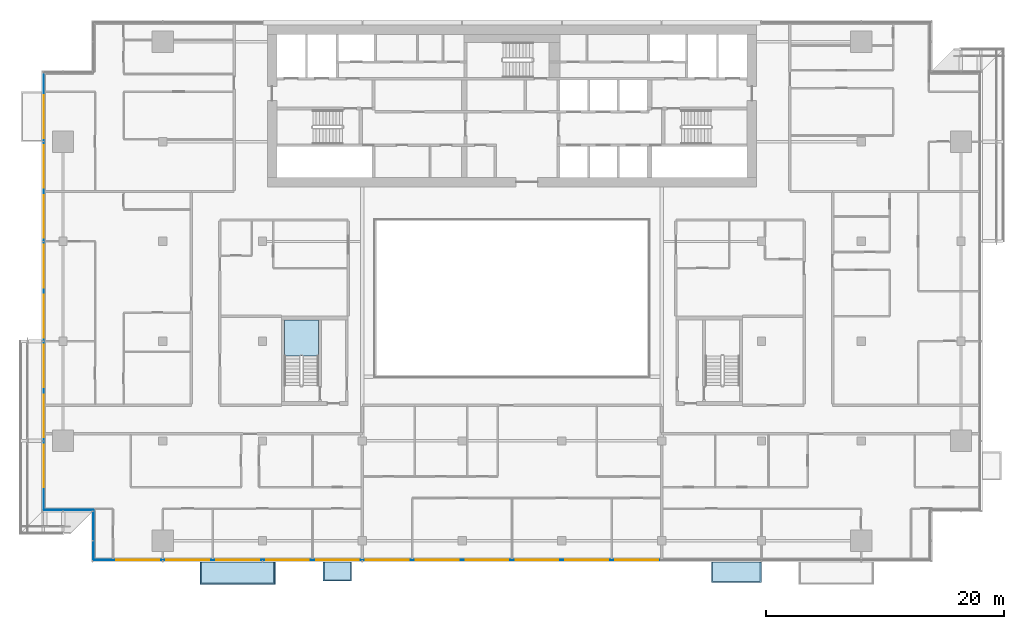
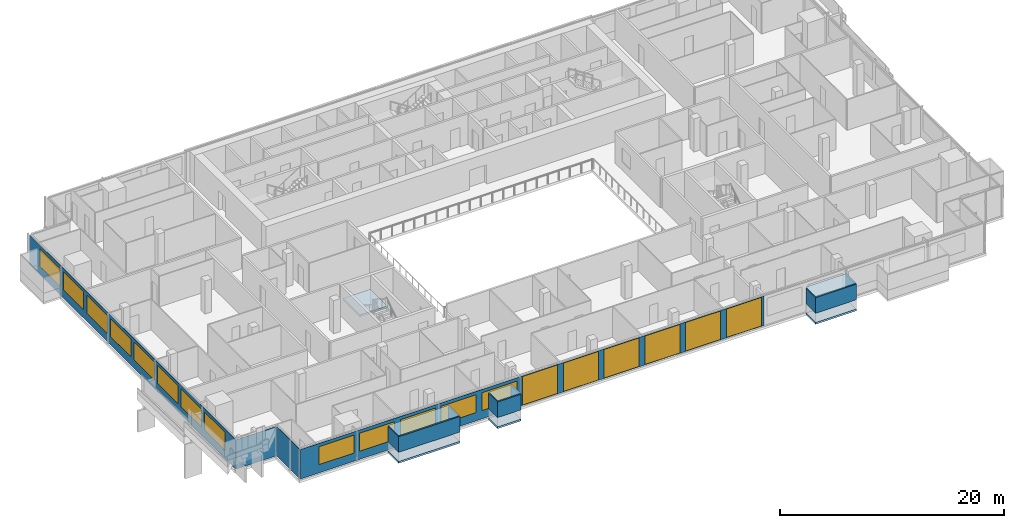
# One storey, part 15 of 30: 19 windows, 11 plates, 4 slabs, 19 openings, 5 elements without a shape of their own.
"""IFC4 building model written with IfcOpenShell, lengths in metres."""

from ifc_helpers import new_model, si_unit, direction, frame, frame_2d, origin, place, context, subcontext, project, spatial, polyline, rectangle, outline, extrude, material, layer, layer_set, type_object, element, fill, aggregate, save


model = new_model("IFC4")

# Units and contexts
model_context = context("Model", 3, precision=1e-05, world=origin(), true_north=direction((0.0, 1.0)))
body_context = subcontext(model_context, "Body", "Model", "MODEL_VIEW")
ifc_project = project(units=[si_unit("LENGTHUNIT", "METRE"), si_unit("AREAUNIT", "SQUARE_METRE"), si_unit("VOLUMEUNIT", "CUBIC_METRE"), si_unit("PLANEANGLEUNIT", "RADIAN"), si_unit("MASSUNIT", "GRAM", prefix="KILO")], contexts=[model_context])

# Site, building, storey
site_placement = place(None, origin())
site = spatial("IfcSite", under=ifc_project, at=site_placement, CompositionType="ELEMENT")
building_placement = place(site_placement, origin())
building = spatial("IfcBuilding", under=site, at=building_placement, Name="Saffron Gate Tower", CompositionType="ELEMENT")
storey_placement = place(building_placement, frame((0.0, 0.0, 165.449951171875)))
storey = spatial("IfcBuildingStorey", under=building, at=storey_placement, Name="L40", CompositionType="ELEMENT", Elevation=165.449951171875)

# Curtain wall, plates, openings, windows
ifc_material_1 = material(Name="Aluminium, bronze anodised", Category="aluminium")
curtain_wall_type_1 = type_object("IfcCurtainWallType", Name="CWS1 curtain wall front facade", PredefinedType="NOTDEFINED", material=ifc_material_1)
curtain_wall_1_placement = place(storey_placement, origin())
curtain_wall_1 = element("IfcCurtainWall", 1, at=curtain_wall_1_placement, inside=storey, type_object=curtain_wall_type_1, Name="CWS1 run 1", PredefinedType="NOTDEFINED")
ifc_material_2 = material(Name="Clear low-iron laminated glass", Category="glass")
ifc_layer_1 = layer(ifc_material_2, 0.028076171875)
ifc_layer_set_1 = layer_set([ifc_layer_1], Name="CWS1 clear glass")
plate_type_1 = type_object("IfcPlateType", Name="CWS1 clear glass", PredefinedType="CURTAIN_PANEL", material=ifc_layer_set_1)
plate_1_placement = place(storey_placement, frame((75.030029296875, 30.174072265625, 0.0), z_axis=(0.0, 0.0, 1.0), x_axis=(1.0, 0.0, 0.0)))
plate_1 = element("IfcPlate", 2, at=plate_1_placement, type_object=plate_type_1, Name="CWS1 clear glass panel", PredefinedType="CURTAIN_PANEL", context=body_context, shape_type="SweptSolid", body=[
    extrude(rectangle(XDim=25.139892578125, YDim=0.028076171875, at=frame_2d((12.56982421875, 0.0))), origin(), (0.0, 0.0, 1.0), 3.199951171875),
])
opening_1_placement = place(plate_1_placement, frame((0.27001953125, 0.0, 0.050048828125)))
opening_1 = element("IfcOpeningElement", 3, at=opening_1_placement, cuts=plate_1, Name="Opening WA", PredefinedType="OPENING", context=body_context, shape_type="SweptSolid", body=[
    extrude(rectangle(XDim=3.60009765625, YDim=3.10009765625, at=frame_2d((1.800048828125, 1.550048828125))), frame((0.0, 0.02392578125, 0.0), z_axis=(0.0, -1.0, 0.0), x_axis=(1.0, 0.0, 0.0)), (0.0, 0.0, 1.0), 0.048095703125),
])
opening_2_placement = place(plate_1_placement, frame((4.469970703125, 0.0, 0.050048828125)))
opening_2 = element("IfcOpeningElement", 4, at=opening_2_placement, cuts=plate_1, Name="Opening WA", PredefinedType="OPENING", context=body_context, shape_type="SweptSolid", body=[
    extrude(rectangle(XDim=3.60009765625, YDim=3.10009765625, at=frame_2d((1.800048828125, 1.550048828125))), frame((0.0, 0.02392578125, 0.0), z_axis=(0.0, -1.0, 0.0), x_axis=(1.0, 0.0, 0.0)), (0.0, 0.0, 1.0), 0.048095703125),
])
opening_3_placement = place(plate_1_placement, frame((8.669921875, 0.0, 0.050048828125)))
opening_3 = element("IfcOpeningElement", 5, at=opening_3_placement, cuts=plate_1, Name="Opening WA", PredefinedType="OPENING", context=body_context, shape_type="SweptSolid", body=[
    extrude(rectangle(XDim=3.60009765625, YDim=3.10009765625, at=frame_2d((1.800048828125, 1.550048828125))), frame((0.0, 0.02392578125, 0.0), z_axis=(0.0, -1.0, 0.0), x_axis=(1.0, 0.0, 0.0)), (0.0, 0.0, 1.0), 0.048095703125),
])
opening_4_placement = place(plate_1_placement, frame((12.8701171875, 0.0, 0.050048828125)))
opening_4 = element("IfcOpeningElement", 6, at=opening_4_placement, cuts=plate_1, Name="Opening WA", PredefinedType="OPENING", context=body_context, shape_type="SweptSolid", body=[
    extrude(rectangle(XDim=3.60009765625, YDim=3.10009765625, at=frame_2d((1.800048828125, 1.550048828125))), frame((0.0, 0.02392578125, 0.0), z_axis=(0.0, -1.0, 0.0), x_axis=(1.0, 0.0, 0.0)), (0.0, 0.0, 1.0), 0.048095703125),
])
opening_5_placement = place(plate_1_placement, frame((17.070068359375, 0.0, 0.050048828125)))
opening_5 = element("IfcOpeningElement", 7, at=opening_5_placement, cuts=plate_1, Name="Opening WA", PredefinedType="OPENING", context=body_context, shape_type="SweptSolid", body=[
    extrude(rectangle(XDim=3.60009765625, YDim=3.10009765625, at=frame_2d((1.800048828125, 1.550048828125))), frame((0.0, 0.02392578125, 0.0), z_axis=(0.0, -1.0, 0.0), x_axis=(1.0, 0.0, 0.0)), (0.0, 0.0, 1.0), 0.048095703125),
])
opening_6_placement = place(plate_1_placement, frame((21.27001953125, 0.0, 0.050048828125)))
opening_6 = element("IfcOpeningElement", 8, at=opening_6_placement, cuts=plate_1, Name="Opening WA", PredefinedType="OPENING", context=body_context, shape_type="SweptSolid", body=[
    extrude(rectangle(XDim=3.60009765625, YDim=3.10009765625, at=frame_2d((1.800048828125, 1.550048828125))), frame((0.0, 0.02392578125, 0.0), z_axis=(0.0, -1.0, 0.0), x_axis=(1.0, 0.0, 0.0)), (0.0, 0.0, 1.0), 0.048095703125),
])
ifc_material_3 = material(Name="Clear low-iron laminated glass in bronze frame", Category="glass")
ifc_layer_2 = layer(ifc_material_3, 0.06005859375)
ifc_layer_set_2 = layer_set([ifc_layer_2], Name="WA operable atrium unit 3600x3100")
window_type_1 = type_object("IfcWindowType", Name="WA operable atrium unit 3600x3100", PartitioningType="DOUBLE_PANEL_HORIZONTAL", PredefinedType="WINDOW", material=ifc_layer_set_2)
window_1_placement = place(opening_1_placement, origin())
window_1 = element("IfcWindow", 9, at=window_1_placement, type_object=window_type_1, Name="WA operable atrium unit", OverallHeight=3.10009765625, OverallWidth=3.60009765625, PartitioningType="SINGLE_PANEL", PredefinedType="WINDOW", context=body_context, shape_type="SweptSolid", body=[
    extrude(rectangle(XDim=3.60009765625, YDim=3.10009765625, at=frame_2d((1.800048828125, 1.550048828125))), frame((0.0, 0.013671875, 0.0), z_axis=(0.0, -1.0, 0.0), x_axis=(1.0, 0.0, 0.0)), (0.0, 0.0, 1.0), 0.027587890625),
])
fill(opening_1, window_1)
window_2_placement = place(opening_2_placement, origin())
window_2 = element("IfcWindow", 10, at=window_2_placement, type_object=window_type_1, Name="WA operable atrium unit", OverallHeight=3.10009765625, OverallWidth=3.60009765625, PartitioningType="SINGLE_PANEL", PredefinedType="WINDOW", context=body_context, shape_type="SweptSolid", body=[
    extrude(rectangle(XDim=3.60009765625, YDim=3.10009765625, at=frame_2d((1.800048828125, 1.550048828125))), frame((0.0, 0.013671875, 0.0), z_axis=(0.0, -1.0, 0.0), x_axis=(1.0, 0.0, 0.0)), (0.0, 0.0, 1.0), 0.027587890625),
])
fill(opening_2, window_2)
window_3_placement = place(opening_3_placement, origin())
window_3 = element("IfcWindow", 11, at=window_3_placement, type_object=window_type_1, Name="WA operable atrium unit", OverallHeight=3.10009765625, OverallWidth=3.60009765625, PartitioningType="SINGLE_PANEL", PredefinedType="WINDOW", context=body_context, shape_type="SweptSolid", body=[
    extrude(rectangle(XDim=3.60009765625, YDim=3.10009765625, at=frame_2d((1.800048828125, 1.550048828125))), frame((0.0, 0.013671875, 0.0), z_axis=(0.0, -1.0, 0.0), x_axis=(1.0, 0.0, 0.0)), (0.0, 0.0, 1.0), 0.027587890625),
])
fill(opening_3, window_3)
window_4_placement = place(opening_4_placement, origin())
window_4 = element("IfcWindow", 12, at=window_4_placement, type_object=window_type_1, Name="WA operable atrium unit", OverallHeight=3.10009765625, OverallWidth=3.60009765625, PartitioningType="SINGLE_PANEL", PredefinedType="WINDOW", context=body_context, shape_type="SweptSolid", body=[
    extrude(rectangle(XDim=3.60009765625, YDim=3.10009765625, at=frame_2d((1.800048828125, 1.550048828125))), frame((0.0, 0.013671875, 0.0), z_axis=(0.0, -1.0, 0.0), x_axis=(1.0, 0.0, 0.0)), (0.0, 0.0, 1.0), 0.027587890625),
])
fill(opening_4, window_4)
window_5_placement = place(opening_5_placement, origin())
window_5 = element("IfcWindow", 13, at=window_5_placement, type_object=window_type_1, Name="WA operable atrium unit", OverallHeight=3.10009765625, OverallWidth=3.60009765625, PartitioningType="SINGLE_PANEL", PredefinedType="WINDOW", context=body_context, shape_type="SweptSolid", body=[
    extrude(rectangle(XDim=3.60009765625, YDim=3.10009765625, at=frame_2d((1.800048828125, 1.550048828125))), frame((0.0, 0.013671875, 0.0), z_axis=(0.0, -1.0, 0.0), x_axis=(1.0, 0.0, 0.0)), (0.0, 0.0, 1.0), 0.027587890625),
])
fill(opening_5, window_5)
window_6_placement = place(opening_6_placement, origin())
window_6 = element("IfcWindow", 14, at=window_6_placement, type_object=window_type_1, Name="WA operable atrium unit", OverallHeight=3.10009765625, OverallWidth=3.60009765625, PartitioningType="SINGLE_PANEL", PredefinedType="WINDOW", context=body_context, shape_type="SweptSolid", body=[
    extrude(rectangle(XDim=3.60009765625, YDim=3.10009765625, at=frame_2d((1.800048828125, 1.550048828125))), frame((0.0, 0.013671875, 0.0), z_axis=(0.0, -1.0, 0.0), x_axis=(1.0, 0.0, 0.0)), (0.0, 0.0, 1.0), 0.027587890625),
])
fill(opening_6, window_6)
ifc_material_4 = material(Name="Fritted bronze-tinted laminated glass", Category="glass")
ifc_layer_3 = layer(ifc_material_4, 0.028076171875)
ifc_layer_set_3 = layer_set([ifc_layer_3], Name="CWS1 fixed glass")
plate_type_2 = type_object("IfcPlateType", Name="CWS1 fixed glass", PredefinedType="CURTAIN_PANEL", material=ifc_layer_set_3)
plate_2_placement = place(storey_placement, frame((52.387939453125, 30.174072265625, 0.0), z_axis=(0.0, 0.0, 1.0), x_axis=(1.0, 0.0, 0.0)))
plate_2 = element("IfcPlate", 15, at=plate_2_placement, type_object=plate_type_2, Name="CWS1 glass panel", PredefinedType="CURTAIN_PANEL", context=body_context, shape_type="SweptSolid", body=[
    extrude(rectangle(XDim=22.64208984375, YDim=0.028076171875, at=frame_2d((11.321044921875, 0.0))), origin(), (0.0, 0.0, 1.0), 3.199951171875),
])
opening_7_placement = place(plate_2_placement, frame((1.912109375, 0.0, 0.89990234375)))
opening_7 = element("IfcOpeningElement", 16, at=opening_7_placement, cuts=plate_2, Name="Opening W1", PredefinedType="OPENING", context=body_context, shape_type="SweptSolid", body=[
    extrude(rectangle(XDim=3.60009765625, YDim=1.949951171875, at=frame_2d((1.800048828125, 0.97509765625))), frame((0.0, 0.02392578125, 0.0), z_axis=(0.0, -1.0, 0.0), x_axis=(1.0, 0.0, 0.0)), (0.0, 0.0, 1.0), 0.048095703125),
])
opening_8_placement = place(plate_2_placement, frame((6.112060546875, 0.0, 0.89990234375)))
opening_8 = element("IfcOpeningElement", 17, at=opening_8_placement, cuts=plate_2, Name="Opening W1", PredefinedType="OPENING", context=body_context, shape_type="SweptSolid", body=[
    extrude(rectangle(XDim=3.60009765625, YDim=1.949951171875, at=frame_2d((1.800048828125, 0.97509765625))), frame((0.0, 0.02392578125, 0.0), z_axis=(0.0, -1.0, 0.0), x_axis=(1.0, 0.0, 0.0)), (0.0, 0.0, 1.0), 0.048095703125),
])
opening_9_placement = place(plate_2_placement, frame((10.31201171875, 0.0, 0.89990234375)))
opening_9 = element("IfcOpeningElement", 18, at=opening_9_placement, cuts=plate_2, Name="Opening W1", PredefinedType="OPENING", context=body_context, shape_type="SweptSolid", body=[
    extrude(rectangle(XDim=3.60009765625, YDim=1.949951171875, at=frame_2d((1.800048828125, 0.97509765625))), frame((0.0, 0.02392578125, 0.0), z_axis=(0.0, -1.0, 0.0), x_axis=(1.0, 0.0, 0.0)), (0.0, 0.0, 1.0), 0.048095703125),
])
opening_10_placement = place(plate_2_placement, frame((14.511962890625, 0.0, 0.89990234375)))
opening_10 = element("IfcOpeningElement", 19, at=opening_10_placement, cuts=plate_2, Name="Opening W1", PredefinedType="OPENING", context=body_context, shape_type="SweptSolid", body=[
    extrude(rectangle(XDim=3.60009765625, YDim=1.949951171875, at=frame_2d((1.800048828125, 0.97509765625))), frame((0.0, 0.02392578125, 0.0), z_axis=(0.0, -1.0, 0.0), x_axis=(1.0, 0.0, 0.0)), (0.0, 0.0, 1.0), 0.048095703125),
])
opening_11_placement = place(plate_2_placement, frame((18.7119140625, 0.0, 0.89990234375)))
opening_11 = element("IfcOpeningElement", 20, at=opening_11_placement, cuts=plate_2, Name="Opening W1", PredefinedType="OPENING", context=body_context, shape_type="SweptSolid", body=[
    extrude(rectangle(XDim=3.60009765625, YDim=1.949951171875, at=frame_2d((1.800048828125, 0.97509765625))), frame((0.0, 0.02392578125, 0.0), z_axis=(0.0, -1.0, 0.0), x_axis=(1.0, 0.0, 0.0)), (0.0, 0.0, 1.0), 0.048095703125),
])
ifc_material_5 = material(Name="Fritted bronze-tinted laminated glass in bronze frame", Category="glass")
ifc_layer_4 = layer(ifc_material_5, 0.06005859375)
ifc_layer_set_4 = layer_set([ifc_layer_4], Name="W1 operable panel 3600x1950")
window_type_2 = type_object("IfcWindowType", Name="W1 operable panel 3600x1950", PartitioningType="DOUBLE_PANEL_HORIZONTAL", PredefinedType="WINDOW", material=ifc_layer_set_4)
window_7_placement = place(opening_7_placement, origin())
window_7 = element("IfcWindow", 21, at=window_7_placement, type_object=window_type_2, Name="W1 operable panel", OverallHeight=1.949951171875, OverallWidth=3.60009765625, PartitioningType="SINGLE_PANEL", PredefinedType="WINDOW", context=body_context, shape_type="SweptSolid", body=[
    extrude(rectangle(XDim=3.60009765625, YDim=1.949951171875, at=frame_2d((1.800048828125, 0.97509765625))), frame((0.0, 0.013671875, 0.0), z_axis=(0.0, -1.0, 0.0), x_axis=(1.0, 0.0, 0.0)), (0.0, 0.0, 1.0), 0.027587890625),
])
fill(opening_7, window_7)
window_8_placement = place(opening_8_placement, origin())
window_8 = element("IfcWindow", 22, at=window_8_placement, type_object=window_type_2, Name="W1 operable panel", OverallHeight=1.949951171875, OverallWidth=3.60009765625, PartitioningType="SINGLE_PANEL", PredefinedType="WINDOW", context=body_context, shape_type="SweptSolid", body=[
    extrude(rectangle(XDim=3.60009765625, YDim=1.949951171875, at=frame_2d((1.800048828125, 0.97509765625))), frame((0.0, 0.013671875, 0.0), z_axis=(0.0, -1.0, 0.0), x_axis=(1.0, 0.0, 0.0)), (0.0, 0.0, 1.0), 0.027587890625),
])
fill(opening_8, window_8)
window_9_placement = place(opening_9_placement, origin())
window_9 = element("IfcWindow", 23, at=window_9_placement, type_object=window_type_2, Name="W1 operable panel", OverallHeight=1.949951171875, OverallWidth=3.60009765625, PartitioningType="SINGLE_PANEL", PredefinedType="WINDOW", context=body_context, shape_type="SweptSolid", body=[
    extrude(rectangle(XDim=3.60009765625, YDim=1.949951171875, at=frame_2d((1.800048828125, 0.97509765625))), frame((0.0, 0.013671875, 0.0), z_axis=(0.0, -1.0, 0.0), x_axis=(1.0, 0.0, 0.0)), (0.0, 0.0, 1.0), 0.027587890625),
])
fill(opening_9, window_9)
window_10_placement = place(opening_10_placement, origin())
window_10 = element("IfcWindow", 24, at=window_10_placement, type_object=window_type_2, Name="W1 operable panel", OverallHeight=1.949951171875, OverallWidth=3.60009765625, PartitioningType="SINGLE_PANEL", PredefinedType="WINDOW", context=body_context, shape_type="SweptSolid", body=[
    extrude(rectangle(XDim=3.60009765625, YDim=1.949951171875, at=frame_2d((1.800048828125, 0.97509765625))), frame((0.0, 0.013671875, 0.0), z_axis=(0.0, -1.0, 0.0), x_axis=(1.0, 0.0, 0.0)), (0.0, 0.0, 1.0), 0.027587890625),
])
fill(opening_10, window_10)
window_11_placement = place(opening_11_placement, origin())
window_11 = element("IfcWindow", 25, at=window_11_placement, type_object=window_type_2, Name="W1 operable panel", OverallHeight=1.949951171875, OverallWidth=3.60009765625, PartitioningType="SINGLE_PANEL", PredefinedType="WINDOW", context=body_context, shape_type="SweptSolid", body=[
    extrude(rectangle(XDim=3.60009765625, YDim=1.949951171875, at=frame_2d((1.800048828125, 0.97509765625))), frame((0.0, 0.013671875, 0.0), z_axis=(0.0, -1.0, 0.0), x_axis=(1.0, 0.0, 0.0)), (0.0, 0.0, 1.0), 0.027587890625),
])
fill(opening_11, window_11)
aggregate(curtain_wall_1, [plate_2, plate_1, window_7, window_8, window_9, window_10, window_11, window_1, window_2, window_3, window_4, window_5, window_6])

# Curtain wall, plate, openings, windows
curtain_wall_type_2 = type_object("IfcCurtainWallType", Name="CWS2 curtain wall side facades", PredefinedType="NOTDEFINED", material=ifc_material_1)
curtain_wall_2_placement = place(storey_placement, origin())
curtain_wall_2 = element("IfcCurtainWall", 26, at=curtain_wall_2_placement, inside=storey, type_object=curtain_wall_type_2, Name="CWS2 run 10", PredefinedType="NOTDEFINED")
ifc_layer_5 = layer(ifc_material_4, 0.028076171875)
ifc_layer_set_5 = layer_set([ifc_layer_5], Name="CWS2 fixed glass")
plate_type_3 = type_object("IfcPlateType", Name="CWS2 fixed glass", PredefinedType="CURTAIN_PANEL", material=ifc_layer_set_5)
plate_3_placement = place(storey_placement, frame((48.174072265625, 71.2119140625, 0.0), z_axis=(0.0, 0.0, 1.0), x_axis=(0.0, -1.0, 0.0)))
plate_3 = element("IfcPlate", 27, at=plate_3_placement, type_object=plate_type_3, Name="CWS2 glass panel", PredefinedType="CURTAIN_PANEL", context=body_context, shape_type="SweptSolid", body=[
    extrude(rectangle(XDim=36.823974609375, YDim=0.028076171875, at=frame_2d((18.412109375, 0.0))), origin(), (0.0, 0.0, 1.0), 3.199951171875),
])
opening_12_placement = place(plate_3_placement, frame((1.912109375, 0.0, 0.89990234375)))
opening_12 = element("IfcOpeningElement", 28, at=opening_12_placement, cuts=plate_3, Name="Opening W1", PredefinedType="OPENING", context=body_context, shape_type="SweptSolid", body=[
    extrude(rectangle(XDim=3.60009765625, YDim=1.949951171875, at=frame_2d((1.800048828125, 0.97509765625))), frame((0.0, 0.02392578125, 0.0), z_axis=(0.0, -1.0, 0.0), x_axis=(1.0, 0.0, 0.0)), (0.0, 0.0, 1.0), 0.048095703125),
])
opening_13_placement = place(plate_3_placement, frame((6.112060546875, 0.0, 0.89990234375)))
opening_13 = element("IfcOpeningElement", 29, at=opening_13_placement, cuts=plate_3, Name="Opening W1", PredefinedType="OPENING", context=body_context, shape_type="SweptSolid", body=[
    extrude(rectangle(XDim=3.60009765625, YDim=1.949951171875, at=frame_2d((1.800048828125, 0.97509765625))), frame((0.0, 0.02392578125, 0.0), z_axis=(0.0, -1.0, 0.0), x_axis=(1.0, 0.0, 0.0)), (0.0, 0.0, 1.0), 0.048095703125),
])
opening_14_placement = place(plate_3_placement, frame((10.31201171875, 0.0, 0.89990234375)))
opening_14 = element("IfcOpeningElement", 30, at=opening_14_placement, cuts=plate_3, Name="Opening W1", PredefinedType="OPENING", context=body_context, shape_type="SweptSolid", body=[
    extrude(rectangle(XDim=3.60009765625, YDim=1.949951171875, at=frame_2d((1.800048828125, 0.97509765625))), frame((0.0, 0.02392578125, 0.0), z_axis=(0.0, -1.0, 0.0), x_axis=(1.0, 0.0, 0.0)), (0.0, 0.0, 1.0), 0.048095703125),
])
opening_15_placement = place(plate_3_placement, frame((14.511962890625, 0.0, 0.89990234375)))
opening_15 = element("IfcOpeningElement", 31, at=opening_15_placement, cuts=plate_3, Name="Opening W1", PredefinedType="OPENING", context=body_context, shape_type="SweptSolid", body=[
    extrude(rectangle(XDim=3.60009765625, YDim=1.949951171875, at=frame_2d((1.800048828125, 0.97509765625))), frame((0.0, 0.02392578125, 0.0), z_axis=(0.0, -1.0, 0.0), x_axis=(1.0, 0.0, 0.0)), (0.0, 0.0, 1.0), 0.048095703125),
])
opening_16_placement = place(plate_3_placement, frame((18.7119140625, 0.0, 0.89990234375)))
opening_16 = element("IfcOpeningElement", 32, at=opening_16_placement, cuts=plate_3, Name="Opening W1", PredefinedType="OPENING", context=body_context, shape_type="SweptSolid", body=[
    extrude(rectangle(XDim=3.60009765625, YDim=1.949951171875, at=frame_2d((1.800048828125, 0.97509765625))), frame((0.0, 0.02392578125, 0.0), z_axis=(0.0, -1.0, 0.0), x_axis=(1.0, 0.0, 0.0)), (0.0, 0.0, 1.0), 0.048095703125),
])
opening_17_placement = place(plate_3_placement, frame((22.912109375, 0.0, 0.89990234375)))
opening_17 = element("IfcOpeningElement", 33, at=opening_17_placement, cuts=plate_3, Name="Opening W1", PredefinedType="OPENING", context=body_context, shape_type="SweptSolid", body=[
    extrude(rectangle(XDim=3.60009765625, YDim=1.949951171875, at=frame_2d((1.800048828125, 0.97509765625))), frame((0.0, 0.02392578125, 0.0), z_axis=(0.0, -1.0, 0.0), x_axis=(1.0, 0.0, 0.0)), (0.0, 0.0, 1.0), 0.048095703125),
])
opening_18_placement = place(plate_3_placement, frame((27.112060546875, 0.0, 0.89990234375)))
opening_18 = element("IfcOpeningElement", 34, at=opening_18_placement, cuts=plate_3, Name="Opening W1", PredefinedType="OPENING", context=body_context, shape_type="SweptSolid", body=[
    extrude(rectangle(XDim=3.60009765625, YDim=1.949951171875, at=frame_2d((1.800048828125, 0.97509765625))), frame((0.0, 0.02392578125, 0.0), z_axis=(0.0, -1.0, 0.0), x_axis=(1.0, 0.0, 0.0)), (0.0, 0.0, 1.0), 0.048095703125),
])
opening_19_placement = place(plate_3_placement, frame((31.31201171875, 0.0, 0.89990234375)))
opening_19 = element("IfcOpeningElement", 35, at=opening_19_placement, cuts=plate_3, Name="Opening W1", PredefinedType="OPENING", context=body_context, shape_type="SweptSolid", body=[
    extrude(rectangle(XDim=3.60009765625, YDim=1.949951171875, at=frame_2d((1.800048828125, 0.97509765625))), frame((0.0, 0.02392578125, 0.0), z_axis=(0.0, -1.0, 0.0), x_axis=(1.0, 0.0, 0.0)), (0.0, 0.0, 1.0), 0.048095703125),
])
window_12_placement = place(opening_12_placement, origin())
window_12 = element("IfcWindow", 36, at=window_12_placement, type_object=window_type_2, Name="W1 operable panel", OverallHeight=1.949951171875, OverallWidth=3.60009765625, PartitioningType="SINGLE_PANEL", PredefinedType="WINDOW", context=body_context, shape_type="SweptSolid", body=[
    extrude(rectangle(XDim=3.60009765625, YDim=1.949951171875, at=frame_2d((1.800048828125, 0.97509765625))), frame((0.0, 0.013671875, 0.0), z_axis=(0.0, -1.0, 0.0), x_axis=(1.0, 0.0, 0.0)), (0.0, 0.0, 1.0), 0.027587890625),
])
fill(opening_12, window_12)
window_13_placement = place(opening_13_placement, origin())
window_13 = element("IfcWindow", 37, at=window_13_placement, type_object=window_type_2, Name="W1 operable panel", OverallHeight=1.949951171875, OverallWidth=3.60009765625, PartitioningType="SINGLE_PANEL", PredefinedType="WINDOW", context=body_context, shape_type="SweptSolid", body=[
    extrude(rectangle(XDim=3.60009765625, YDim=1.949951171875, at=frame_2d((1.800048828125, 0.97509765625))), frame((0.0, 0.013671875, 0.0), z_axis=(0.0, -1.0, 0.0), x_axis=(1.0, 0.0, 0.0)), (0.0, 0.0, 1.0), 0.027587890625),
])
fill(opening_13, window_13)
window_14_placement = place(opening_14_placement, origin())
window_14 = element("IfcWindow", 38, at=window_14_placement, type_object=window_type_2, Name="W1 operable panel", OverallHeight=1.949951171875, OverallWidth=3.60009765625, PartitioningType="SINGLE_PANEL", PredefinedType="WINDOW", context=body_context, shape_type="SweptSolid", body=[
    extrude(rectangle(XDim=3.60009765625, YDim=1.949951171875, at=frame_2d((1.800048828125, 0.97509765625))), frame((0.0, 0.013671875, 0.0), z_axis=(0.0, -1.0, 0.0), x_axis=(1.0, 0.0, 0.0)), (0.0, 0.0, 1.0), 0.027587890625),
])
fill(opening_14, window_14)
window_15_placement = place(opening_15_placement, origin())
window_15 = element("IfcWindow", 39, at=window_15_placement, type_object=window_type_2, Name="W1 operable panel", OverallHeight=1.949951171875, OverallWidth=3.60009765625, PartitioningType="SINGLE_PANEL", PredefinedType="WINDOW", context=body_context, shape_type="SweptSolid", body=[
    extrude(rectangle(XDim=3.60009765625, YDim=1.949951171875, at=frame_2d((1.800048828125, 0.97509765625))), frame((0.0, 0.013671875, 0.0), z_axis=(0.0, -1.0, 0.0), x_axis=(1.0, 0.0, 0.0)), (0.0, 0.0, 1.0), 0.027587890625),
])
fill(opening_15, window_15)
window_16_placement = place(opening_16_placement, origin())
window_16 = element("IfcWindow", 40, at=window_16_placement, type_object=window_type_2, Name="W1 operable panel", OverallHeight=1.949951171875, OverallWidth=3.60009765625, PartitioningType="SINGLE_PANEL", PredefinedType="WINDOW", context=body_context, shape_type="SweptSolid", body=[
    extrude(rectangle(XDim=3.60009765625, YDim=1.949951171875, at=frame_2d((1.800048828125, 0.97509765625))), frame((0.0, 0.013671875, 0.0), z_axis=(0.0, -1.0, 0.0), x_axis=(1.0, 0.0, 0.0)), (0.0, 0.0, 1.0), 0.027587890625),
])
fill(opening_16, window_16)
window_17_placement = place(opening_17_placement, origin())
window_17 = element("IfcWindow", 41, at=window_17_placement, type_object=window_type_2, Name="W1 operable panel", OverallHeight=1.949951171875, OverallWidth=3.60009765625, PartitioningType="SINGLE_PANEL", PredefinedType="WINDOW", context=body_context, shape_type="SweptSolid", body=[
    extrude(rectangle(XDim=3.60009765625, YDim=1.949951171875, at=frame_2d((1.800048828125, 0.97509765625))), frame((0.0, 0.013671875, 0.0), z_axis=(0.0, -1.0, 0.0), x_axis=(1.0, 0.0, 0.0)), (0.0, 0.0, 1.0), 0.027587890625),
])
fill(opening_17, window_17)
window_18_placement = place(opening_18_placement, origin())
window_18 = element("IfcWindow", 42, at=window_18_placement, type_object=window_type_2, Name="W1 operable panel", OverallHeight=1.949951171875, OverallWidth=3.60009765625, PartitioningType="SINGLE_PANEL", PredefinedType="WINDOW", context=body_context, shape_type="SweptSolid", body=[
    extrude(rectangle(XDim=3.60009765625, YDim=1.949951171875, at=frame_2d((1.800048828125, 0.97509765625))), frame((0.0, 0.013671875, 0.0), z_axis=(0.0, -1.0, 0.0), x_axis=(1.0, 0.0, 0.0)), (0.0, 0.0, 1.0), 0.027587890625),
])
fill(opening_18, window_18)
window_19_placement = place(opening_19_placement, origin())
window_19 = element("IfcWindow", 43, at=window_19_placement, type_object=window_type_2, Name="W1 operable panel", OverallHeight=1.949951171875, OverallWidth=3.60009765625, PartitioningType="SINGLE_PANEL", PredefinedType="WINDOW", context=body_context, shape_type="SweptSolid", body=[
    extrude(rectangle(XDim=3.60009765625, YDim=1.949951171875, at=frame_2d((1.800048828125, 0.97509765625))), frame((0.0, 0.013671875, 0.0), z_axis=(0.0, -1.0, 0.0), x_axis=(1.0, 0.0, 0.0)), (0.0, 0.0, 1.0), 0.027587890625),
])
fill(opening_19, window_19)
aggregate(curtain_wall_2, [plate_3, window_12, window_13, window_14, window_15, window_16, window_17, window_18, window_19])

# Curtain wall, plate
curtain_wall_type_3 = type_object("IfcCurtainWallType", Name="CWS4 curtain wall corner returns", PredefinedType="NOTDEFINED", material=ifc_material_1)
curtain_wall_3_placement = place(storey_placement, origin())
curtain_wall_3 = element("IfcCurtainWall", 44, at=curtain_wall_3_placement, inside=storey, type_object=curtain_wall_type_3, Name="CWS4 run 11", PredefinedType="NOTDEFINED")
ifc_layer_6 = layer(ifc_material_4, 0.028076171875)
ifc_layer_set_6 = layer_set([ifc_layer_6], Name="CWS4 fixed glass")
plate_type_4 = type_object("IfcPlateType", Name="CWS4 fixed glass", PredefinedType="CURTAIN_PANEL", material=ifc_layer_set_6)
plate_4_placement = place(storey_placement, frame((48.18798828125, 34.3740234375, 0.0), z_axis=(0.0, 0.0, 1.0), x_axis=(1.0, 0.0, 0.0)))
plate_4 = element("IfcPlate", 45, at=plate_4_placement, type_object=plate_type_4, Name="CWS4 glass panel", PredefinedType="CURTAIN_PANEL", context=body_context, shape_type="SweptSolid", body=[
    extrude(rectangle(XDim=4.172119140625, YDim=0.028076171875, at=frame_2d((2.0859375, 0.0))), origin(), (0.0, 0.0, 1.0), 3.199951171875),
])
aggregate(curtain_wall_3, [plate_4])

curtain_wall_4_placement = place(storey_placement, origin())
curtain_wall_4 = element("IfcCurtainWall", 46, at=curtain_wall_4_placement, inside=storey, type_object=curtain_wall_type_3, Name="CWS4 run 12", PredefinedType="NOTDEFINED")
plate_5_placement = place(storey_placement, frame((52.3740234375, 34.360107421875, 0.0), z_axis=(0.0, 0.0, 1.0), x_axis=(0.0, -1.0, 0.0)))
plate_5 = element("IfcPlate", 47, at=plate_5_placement, type_object=plate_type_4, Name="CWS4 glass panel", PredefinedType="CURTAIN_PANEL", context=body_context, shape_type="SweptSolid", body=[
    extrude(rectangle(XDim=4.172119140625, YDim=0.028076171875, at=frame_2d((2.0859375, 0.0))), origin(), (0.0, 0.0, 1.0), 3.199951171875),
])
aggregate(curtain_wall_4, [plate_5])

# Stair, slab
ifc_material_6 = material(Name="Concrete C40", Category="concrete")
stair_type = type_object("IfcStairType", Name="ST7 Stair 1350 wide, 20 risers of 180", PredefinedType="HALF_TURN_STAIR", material=ifc_material_6)
stair_placement = place(storey_placement, origin())
stair = element("IfcStair", 48, at=stair_placement, inside=storey, type_object=stair_type, Name="L40 Exit stair D", PredefinedType="HALF_TURN_STAIR")
ifc_layer_7 = layer(ifc_material_6, 0.199951171875)
ifc_layer_set_7 = layer_set([ifc_layer_7], Name="SL1 Stair landing 200")
slab_type_1 = type_object("IfcSlabType", Name="SL1 Stair landing 200", PredefinedType="LANDING", material=ifc_layer_set_7)
slab_1_placement = place(storey_placement, frame((0.0, 0.0, 1.60009765625)))
slab_1 = element("IfcSlab", 49, at=slab_1_placement, type_object=slab_type_1, Name="ST-D landing 1", PredefinedType="LANDING", context=body_context, shape_type="SweptSolid", body=[
    extrude(outline(polyline([(71.300048828125, 47.3701171875), (71.300048828125, 50.39990234375), (68.449951171875, 50.39990234375), (68.449951171875, 47.3701171875), (71.300048828125, 47.3701171875)])), origin(), (0.0, 0.0, 1.0), 0.199951171875),
])
aggregate(stair, [slab_1])

# Slabs
ifc_material_7 = material(Name="Timber deck on bronze frame", Category="wood")
ifc_layer_8 = layer(ifc_material_7, 0.199951171875)
ifc_layer_set_8 = layer_set([ifc_layer_8], Name="WB1 box floor")
slab_type_2 = type_object("IfcSlabType", Name="WB1 box floor", PredefinedType="FLOOR", material=ifc_layer_set_8)
slab_2_placement = place(storey_placement, frame((0.0, 0.0, -0.199951171875)))
element("IfcSlab", 50, at=slab_2_placement, inside=storey, type_object=slab_type_2, Name="WINDOW BOX floor", PredefinedType="FLOOR", context=body_context, shape_type="SweptSolid", body=[
    extrude(outline(polyline([(61.35009765625, 30.0), (67.64990234375, 30.0), (67.64990234375, 28.133056640625), (61.35009765625, 28.133056640625), (61.35009765625, 30.0)])), origin(), (0.0, 0.0, 1.0), 0.199951171875),
])
slab_3_placement = place(storey_placement, frame((0.0, 0.0, -0.199951171875)))
element("IfcSlab", 51, at=slab_3_placement, inside=storey, type_object=slab_type_2, Name="WINDOW BOX floor", PredefinedType="FLOOR", context=body_context, shape_type="SweptSolid", body=[
    extrude(outline(polyline([(71.699951171875, 30.0), (74.10009765625, 30.0), (74.10009765625, 28.39990234375), (71.699951171875, 28.39990234375), (71.699951171875, 30.0)])), origin(), (0.0, 0.0, 1.0), 0.199951171875),
])
slab_4_placement = place(storey_placement, frame((0.0, 0.0, -0.199951171875)))
element("IfcSlab", 52, at=slab_4_placement, inside=storey, type_object=slab_type_2, Name="WINDOW BOX floor", PredefinedType="FLOOR", context=body_context, shape_type="SweptSolid", body=[
    extrude(outline(polyline([(104.39990234375, 30.0), (108.60009765625, 30.0), (108.60009765625, 28.26708984375), (104.39990234375, 28.26708984375), (104.39990234375, 30.0)])), origin(), (0.0, 0.0, 1.0), 0.199951171875),
])

# Plates
ifc_layer_9 = layer(ifc_material_1, 0.1201171875)
ifc_layer_set_9 = layer_set([ifc_layer_9], Name="WB2 box roof")
plate_type_5 = type_object("IfcPlateType", Name="WB2 box roof", PredefinedType="SHEET", material=ifc_layer_set_9)
plate_6_placement = place(storey_placement, frame((0.0, 0.0, 2.699951171875)))
element("IfcPlate", 53, at=plate_6_placement, inside=storey, type_object=plate_type_5, Name="WINDOW BOX roof", PredefinedType="SHEET", context=body_context, shape_type="SweptSolid", body=[
    extrude(outline(polyline([(61.35009765625, 30.0), (67.64990234375, 30.0), (67.64990234375, 28.133056640625), (61.35009765625, 28.133056640625), (61.35009765625, 30.0)])), origin(), (0.0, 0.0, 1.0), 0.1201171875),
])
plate_7_placement = place(storey_placement, frame((0.0, 0.0, 2.699951171875)))
element("IfcPlate", 54, at=plate_7_placement, inside=storey, type_object=plate_type_5, Name="WINDOW BOX roof", PredefinedType="SHEET", context=body_context, shape_type="SweptSolid", body=[
    extrude(outline(polyline([(71.699951171875, 30.0), (74.10009765625, 30.0), (74.10009765625, 28.39990234375), (71.699951171875, 28.39990234375), (71.699951171875, 30.0)])), origin(), (0.0, 0.0, 1.0), 0.1201171875),
])
plate_8_placement = place(storey_placement, frame((0.0, 0.0, 2.699951171875)))
element("IfcPlate", 55, at=plate_8_placement, inside=storey, type_object=plate_type_5, Name="WINDOW BOX roof", PredefinedType="SHEET", context=body_context, shape_type="SweptSolid", body=[
    extrude(outline(polyline([(104.39990234375, 30.0), (108.60009765625, 30.0), (108.60009765625, 28.26708984375), (104.39990234375, 28.26708984375), (104.39990234375, 30.0)])), origin(), (0.0, 0.0, 1.0), 0.1201171875),
])
ifc_layer_10 = layer(ifc_material_2, 0.10009765625)
ifc_layer_set_10 = layer_set([ifc_layer_10], Name="WB6 box glazing")
plate_type_6 = type_object("IfcPlateType", Name="WB6 box glazing", PredefinedType="SHEET", material=ifc_layer_set_10)
plate_9_placement = place(storey_placement, frame((0.0, 0.0, 1.0)))
element("IfcPlate", 56, at=plate_9_placement, inside=storey, type_object=plate_type_6, Name="WINDOW BOX glazing", PredefinedType="SHEET", context=body_context, shape_type="SweptSolid", body=[
    extrude(outline(polyline([(61.35009765625, 30.0), (61.449951171875, 30.0), (61.449951171875, 28.23291015625), (67.550048828125, 28.23291015625), (67.550048828125, 30.0), (67.64990234375, 30.0), (67.64990234375, 28.133056640625), (61.35009765625, 28.133056640625), (61.35009765625, 30.0)])), origin(), (0.0, 0.0, 1.0), 1.699951171875),
])
plate_10_placement = place(storey_placement, frame((0.0, 0.0, 1.0)))
element("IfcPlate", 57, at=plate_10_placement, inside=storey, type_object=plate_type_6, Name="WINDOW BOX glazing", PredefinedType="SHEET", context=body_context, shape_type="SweptSolid", body=[
    extrude(outline(polyline([(71.699951171875, 30.0), (71.800048828125, 30.0), (71.800048828125, 28.5), (74.0, 28.5), (74.0, 30.0), (74.10009765625, 30.0), (74.10009765625, 28.39990234375), (71.699951171875, 28.39990234375), (71.699951171875, 30.0)])), origin(), (0.0, 0.0, 1.0), 1.699951171875),
])
plate_11_placement = place(storey_placement, frame((0.0, 0.0, 1.0)))
element("IfcPlate", 58, at=plate_11_placement, inside=storey, type_object=plate_type_6, Name="WINDOW BOX glazing", PredefinedType="SHEET", context=body_context, shape_type="SweptSolid", body=[
    extrude(outline(polyline([(104.39990234375, 30.0), (104.5, 30.0), (104.5, 28.366943359375), (108.5, 28.366943359375), (108.5, 30.0), (108.60009765625, 30.0), (108.60009765625, 28.26708984375), (104.39990234375, 28.26708984375), (104.39990234375, 30.0)])), origin(), (0.0, 0.0, 1.0), 1.699951171875),
])

save(model, "model.ifc")
